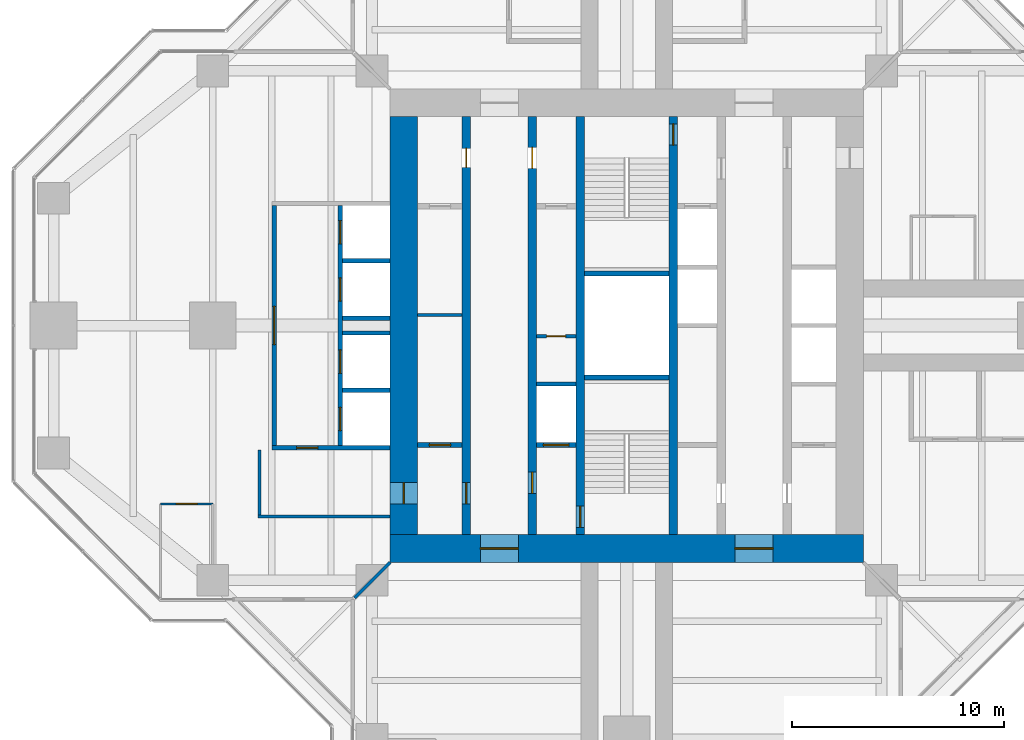
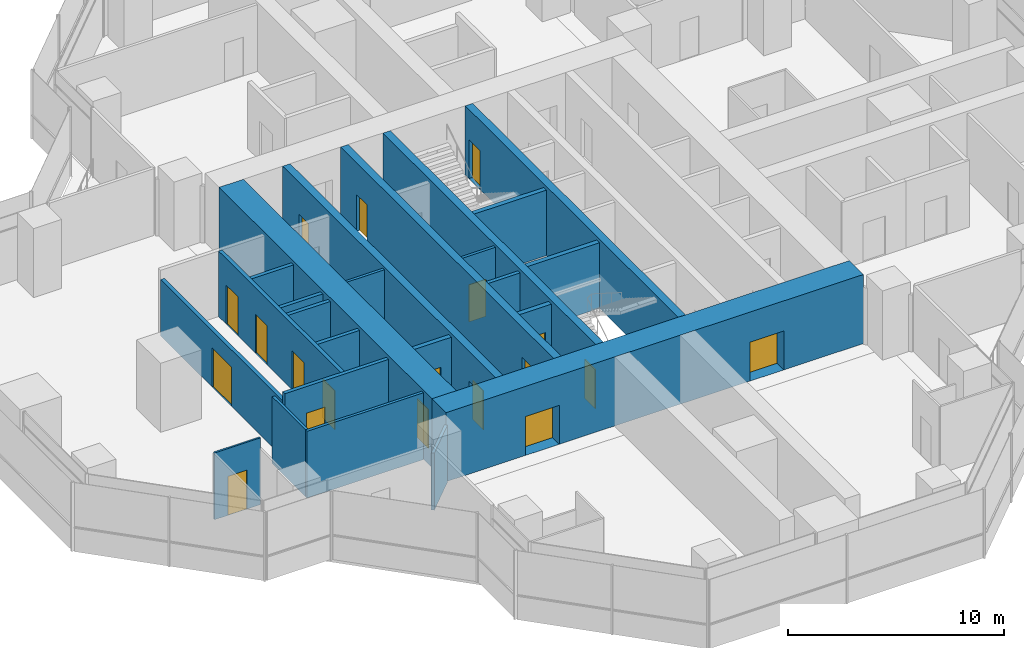
# One storey, part 13 of 17: 24 walls, 19 doors, 19 openings.
"""IFC4 building model written with IfcOpenShell, lengths in metres."""

from ifc_helpers import new_model, si_unit, direction, frame, frame_2d, origin, place, context, subcontext, project, spatial, rectangle, extrude, material, layer, layer_set, type_object, element, fill, save


model = new_model("IFC4")

# Units and contexts
model_context = context("Model", 3, precision=1e-05, world=origin(), true_north=direction((0.0, 1.0)))
body_context = subcontext(model_context, "Body", "Model", "MODEL_VIEW")
ifc_project = project(units=[si_unit("LENGTHUNIT", "METRE"), si_unit("AREAUNIT", "SQUARE_METRE"), si_unit("VOLUMEUNIT", "CUBIC_METRE"), si_unit("PLANEANGLEUNIT", "RADIAN"), si_unit("MASSUNIT", "GRAM", prefix="KILO")], contexts=[model_context])

# Site, building, storey
site_placement = place(None, origin())
site = spatial("IfcSite", under=ifc_project, at=site_placement, CompositionType="ELEMENT")
building_placement = place(site_placement, origin())
building = spatial("IfcBuilding", under=site, at=building_placement, Name="Mizan Broadcast Tower", CompositionType="ELEMENT")
storey_placement = place(building_placement, frame((0.0, 0.0, 228.300048828125)))
storey = spatial("IfcBuildingStorey", under=building, at=storey_placement, Name="L53", CompositionType="ELEMENT", Elevation=228.300048828125)

# Wall, openings, doors
ifc_material_1 = material(Name="Concrete C70/85", Category="concrete")
ifc_layer_1 = layer(ifc_material_1, 0.39990234375)
ifc_layer_set_1 = layer_set([ifc_layer_1], Name="Concrete C70/85")
wall_type_1 = type_object("IfcWallType", Name="CORE INTERNAL WALL 400", PredefinedType="SHEAR", material=ifc_layer_set_1)
wall_1_placement = place(storey_placement, frame((-7.550048828125, -9.85009765625, 0.0), z_axis=(0.0, 0.0, 1.0), x_axis=(0.0, 1.0, 0.0)))
wall_1 = element("IfcWall", 1, at=wall_1_placement, inside=storey, type_object=wall_type_1, Name="Core wall CORE/XW1", PredefinedType="SHEAR", context=body_context, shape_type="SweptSolid", body=[
    extrude(rectangle(XDim=19.7001953125, YDim=0.39990234375, at=frame_2d((9.85009765625, 0.0))), origin(), (0.0, 0.0, 1.0), 3.89990234375),
])
opening_1_placement = place(wall_1_placement, frame((1.449951171875, 0.0, 0.0)))
opening_1 = element("IfcOpeningElement", 2, at=opening_1_placement, cuts=wall_1, Name="Opening D10F", PredefinedType="OPENING", context=body_context, shape_type="SweptSolid", body=[
    extrude(rectangle(XDim=1.0, YDim=2.199951171875, at=frame_2d((0.5, 1.10009765625))), frame((0.0, 0.2099609375, 0.0), z_axis=(0.0, -1.0, 0.0), x_axis=(1.0, 0.0, 0.0)), (0.0, 0.0, 1.0), 0.419921875),
])
opening_2_placement = place(wall_1_placement, frame((17.300048828125, 0.0, 0.0)))
opening_2 = element("IfcOpeningElement", 3, at=opening_2_placement, cuts=wall_1, Name="Opening D09", PredefinedType="OPENING", context=body_context, shape_type="SweptSolid", body=[
    extrude(rectangle(XDim=0.89990234375, YDim=2.10009765625, at=frame_2d((0.449951171875, 1.050048828125))), frame((0.0, 0.2099609375, 0.0), z_axis=(0.0, -1.0, 0.0), x_axis=(1.0, 0.0, 0.0)), (0.0, 0.0, 1.0), 0.419921875),
])
ifc_material_2 = material(Name="Steel door leaf in steel frame", Category="steel")
door_type_1 = type_object("IfcDoorType", Name="FIRE DOOR 1000 FD90", OperationType="SINGLE_SWING_LEFT", PredefinedType="DOOR", material=ifc_material_2)
door_1_placement = place(opening_1_placement, origin())
door_1 = element("IfcDoor", 4, at=door_1_placement, inside=storey, type_object=door_type_1, Name="West core passage door", OperationType="SINGLE_SWING_LEFT", OverallHeight=2.199951171875, OverallWidth=1.0, PredefinedType="DOOR", context=body_context, shape_type="SweptSolid", body=[
    extrude(rectangle(XDim=1.0, YDim=2.199951171875, at=frame_2d((0.5, 1.10009765625))), frame((0.0, 0.02490234375, 0.0), z_axis=(0.0, -1.0, 0.0), x_axis=(1.0, 0.0, 0.0)), (0.0, 0.0, 1.0), 0.050048828125),
])
fill(opening_1, door_1)
ifc_material_3 = material(Name="Timber door leaf in aluminium frame", Category="wood")
door_type_2 = type_object("IfcDoorType", Name="TOILET DOOR 900", OperationType="SINGLE_SWING_LEFT", PredefinedType="DOOR", material=ifc_material_3)
door_2_placement = place(opening_2_placement, origin())
door_2 = element("IfcDoor", 5, at=door_2_placement, inside=storey, type_object=door_type_2, Name="Male WC door", OperationType="SINGLE_SWING_RIGHT", OverallHeight=2.10009765625, OverallWidth=0.89990234375, PredefinedType="DOOR", context=body_context, shape_type="SweptSolid", body=[
    extrude(rectangle(XDim=0.89990234375, YDim=2.10009765625, at=frame_2d((0.449951171875, 1.050048828125))), frame((0.0, 0.02490234375, 0.0), z_axis=(0.0, -1.0, 0.0), x_axis=(1.0, 0.0, 0.0)), (0.0, 0.0, 1.0), 0.050048828125),
])
fill(opening_2, door_2)

wall_2_placement = place(storey_placement, frame((-4.449951171875, -9.85009765625, 0.0), z_axis=(0.0, 0.0, 1.0), x_axis=(0.0, 1.0, 0.0)))
wall_2 = element("IfcWall", 6, at=wall_2_placement, inside=storey, type_object=wall_type_1, Name="Core wall CORE/XWH", PredefinedType="SHEAR", context=body_context, shape_type="SweptSolid", body=[
    extrude(rectangle(XDim=19.7001953125, YDim=0.39990234375, at=frame_2d((9.85009765625, 0.0))), origin(), (0.0, 0.0, 1.0), 3.89990234375),
])
opening_3_placement = place(wall_2_placement, frame((1.949951171875, 0.0, 0.0)))
opening_3 = element("IfcOpeningElement", 7, at=opening_3_placement, cuts=wall_2, Name="Opening D10F", PredefinedType="OPENING", context=body_context, shape_type="SweptSolid", body=[
    extrude(rectangle(XDim=1.0, YDim=2.199951171875, at=frame_2d((0.5, 1.10009765625))), frame((0.0, 0.2099609375, 0.0), z_axis=(0.0, -1.0, 0.0), x_axis=(1.0, 0.0, 0.0)), (0.0, 0.0, 1.0), 0.419921875),
])
opening_4_placement = place(wall_2_placement, frame((17.25, 0.0, 0.0)))
opening_4 = element("IfcOpeningElement", 8, at=opening_4_placement, cuts=wall_2, Name="Opening D10A", PredefinedType="OPENING", context=body_context, shape_type="SweptSolid", body=[
    extrude(rectangle(XDim=1.0, YDim=2.10009765625, at=frame_2d((0.5, 1.050048828125))), frame((0.0, 0.2099609375, 0.0), z_axis=(0.0, -1.0, 0.0), x_axis=(1.0, 0.0, 0.0)), (0.0, 0.0, 1.0), 0.419921875),
])
ifc_material_4 = material(Name="Timber door leaf in aluminium frame", Category="wood")
door_type_3 = type_object("IfcDoorType", Name="ACCESSIBLE WC DOOR 1000", OperationType="SLIDING_TO_LEFT", PredefinedType="DOOR", material=ifc_material_4)
door_3_placement = place(opening_4_placement, origin())
door_3 = element("IfcDoor", 9, at=door_3_placement, inside=storey, type_object=door_type_3, Name="Accessible WC door", OperationType="SLIDING_TO_LEFT", OverallHeight=2.10009765625, OverallWidth=1.0, PredefinedType="DOOR", context=body_context, shape_type="SweptSolid", body=[
    extrude(rectangle(XDim=1.0, YDim=2.10009765625, at=frame_2d((0.5, 1.050048828125))), frame((0.0, 0.02490234375, 0.0), z_axis=(0.0, -1.0, 0.0), x_axis=(1.0, 0.0, 0.0)), (0.0, 0.0, 1.0), 0.050048828125),
])
fill(opening_4, door_3)
door_4_placement = place(opening_3_placement, origin())
door_4 = element("IfcDoor", 10, at=door_4_placement, inside=storey, type_object=door_type_1, Name="Firefighting lobby A door", OperationType="SINGLE_SWING_LEFT", OverallHeight=2.199951171875, OverallWidth=1.0, PredefinedType="DOOR", context=body_context, shape_type="SweptSolid", body=[
    extrude(rectangle(XDim=1.0, YDim=2.199951171875, at=frame_2d((0.5, 1.10009765625))), frame((0.0, 0.02490234375, 0.0), z_axis=(0.0, -1.0, 0.0), x_axis=(1.0, 0.0, 0.0)), (0.0, 0.0, 1.0), 0.050048828125),
])
fill(opening_3, door_4)

# Wall, opening, door
wall_3_placement = place(storey_placement, frame((-2.199951171875, -9.85009765625, 0.0), z_axis=(0.0, 0.0, 1.0), x_axis=(0.0, 1.0, 0.0)))
wall_3 = element("IfcWall", 11, at=wall_3_placement, inside=storey, type_object=wall_type_1, Name="Core wall CORE/XW2", PredefinedType="SHEAR", context=body_context, shape_type="SweptSolid", body=[
    extrude(rectangle(XDim=19.7001953125, YDim=0.39990234375, at=frame_2d((9.85009765625, 0.0))), origin(), (0.0, 0.0, 1.0), 3.89990234375),
])
opening_5_placement = place(wall_3_placement, frame((0.35009765625, 0.0, 0.0)))
opening_5 = element("IfcOpeningElement", 12, at=opening_5_placement, cuts=wall_3, Name="Opening D10S", PredefinedType="OPENING", context=body_context, shape_type="SweptSolid", body=[
    extrude(rectangle(XDim=1.0, YDim=2.199951171875, at=frame_2d((0.5, 1.10009765625))), frame((0.0, 0.2099609375, 0.0), z_axis=(0.0, -1.0, 0.0), x_axis=(1.0, 0.0, 0.0)), (0.0, 0.0, 1.0), 0.419921875),
])
ifc_material_5 = material(Name="Steel door leaf in steel frame", Category="steel")
door_type_4 = type_object("IfcDoorType", Name="STAIR DOOR 1000 FD90S", OperationType="SINGLE_SWING_RIGHT", PredefinedType="DOOR", material=ifc_material_5)
door_5_placement = place(opening_5_placement, origin())
door_5 = element("IfcDoor", 13, at=door_5_placement, inside=storey, type_object=door_type_4, Name="Stair A door", OperationType="SINGLE_SWING_RIGHT", OverallHeight=2.199951171875, OverallWidth=1.0, PredefinedType="DOOR", context=body_context, shape_type="SweptSolid", body=[
    extrude(rectangle(XDim=1.0, YDim=2.199951171875, at=frame_2d((0.5, 1.10009765625))), frame((0.0, 0.02490234375, 0.0), z_axis=(0.0, -1.0, 0.0), x_axis=(1.0, 0.0, 0.0)), (0.0, 0.0, 1.0), 0.050048828125),
])
fill(opening_5, door_5)

wall_4_placement = place(storey_placement, frame((2.199951171875, 9.85009765625, 0.0), z_axis=(0.0, 0.0, 1.0), x_axis=(0.0, -1.0, 0.0)))
wall_4 = element("IfcWall", 14, at=wall_4_placement, inside=storey, type_object=wall_type_1, Name="Core wall CORE/XW2E", PredefinedType="SHEAR", context=body_context, shape_type="SweptSolid", body=[
    extrude(rectangle(XDim=19.7001953125, YDim=0.39990234375, at=frame_2d((9.85009765625, 0.0))), origin(), (0.0, 0.0, 1.0), 3.89990234375),
])
opening_6_placement = place(wall_4_placement, frame((0.35009765625, 0.0, 0.0)))
opening_6 = element("IfcOpeningElement", 15, at=opening_6_placement, cuts=wall_4, Name="Opening D10S", PredefinedType="OPENING", context=body_context, shape_type="SweptSolid", body=[
    extrude(rectangle(XDim=1.0, YDim=2.199951171875, at=frame_2d((0.5, 1.10009765625))), frame((0.0, 0.2099609375, 0.0), z_axis=(0.0, -1.0, 0.0), x_axis=(1.0, 0.0, 0.0)), (0.0, 0.0, 1.0), 0.419921875),
])
door_6_placement = place(opening_6_placement, origin())
door_6 = element("IfcDoor", 16, at=door_6_placement, inside=storey, type_object=door_type_4, Name="Stair B door", OperationType="SINGLE_SWING_RIGHT", OverallHeight=2.199951171875, OverallWidth=1.0, PredefinedType="DOOR", context=body_context, shape_type="SweptSolid", body=[
    extrude(rectangle(XDim=1.0, YDim=2.199951171875, at=frame_2d((0.5, 1.10009765625))), frame((0.0, 0.02490234375, 0.0), z_axis=(0.0, -1.0, 0.0), x_axis=(1.0, 0.0, 0.0)), (0.0, 0.0, 1.0), 0.050048828125),
])
fill(opening_6, door_6)

# Wall
ifc_material_6 = material(Name="Concrete blockwork", Category="masonry")
ifc_layer_2 = layer(ifc_material_6, 0.14990234375)
ifc_layer_set_2 = layer_set([ifc_layer_2], Name="Concrete blockwork")
wall_type_2 = type_object("IfcWallType", Name="CORE PARTITION 150", PredefinedType="SOLIDWALL", material=ifc_layer_set_2)
wall_5_placement = place(storey_placement, frame((-9.85009765625, 0.5, 0.0), z_axis=(0.0, 0.0, 1.0), x_axis=(1.0, 0.0, 0.0)))
element("IfcWall", 17, at=wall_5_placement, inside=storey, type_object=wall_type_2, Name="Core partition CORE/XP1", PredefinedType="SOLIDWALL", context=body_context, shape_type="SweptSolid", body=[
    extrude(rectangle(XDim=2.10009765625, YDim=0.14990234375, at=frame_2d((1.050048828125, 0.0))), origin(), (0.0, 0.0, 1.0), 3.77001953125),
])

# Wall, opening, door
wall_6_placement = place(storey_placement, frame((-4.25, -0.5, 0.0), z_axis=(0.0, 0.0, 1.0), x_axis=(1.0, 0.0, 0.0)))
wall_6 = element("IfcWall", 18, at=wall_6_placement, inside=storey, type_object=wall_type_2, Name="Core partition CORE/XP2", PredefinedType="SOLIDWALL", context=body_context, shape_type="SweptSolid", body=[
    extrude(rectangle(XDim=1.85009765625, YDim=0.14990234375, at=frame_2d((0.925048828125, 0.0))), origin(), (0.0, 0.0, 1.0), 3.77001953125),
])
opening_7_placement = place(wall_6_placement, frame((0.47509765625, 0.0, 0.0)))
opening_7 = element("IfcOpeningElement", 19, at=opening_7_placement, cuts=wall_6, Name="Opening D09F", PredefinedType="OPENING", context=body_context, shape_type="SweptSolid", body=[
    extrude(rectangle(XDim=0.89990234375, YDim=2.10009765625, at=frame_2d((0.449951171875, 1.050048828125))), frame((0.0, 0.0849609375, 0.0), z_axis=(0.0, -1.0, 0.0), x_axis=(1.0, 0.0, 0.0)), (0.0, 0.0, 1.0), 0.169921875),
])
ifc_material_7 = material(Name="Steel door leaf in steel frame", Category="steel")
door_type_5 = type_object("IfcDoorType", Name="CORE ROOM DOOR 900 FD90", OperationType="SINGLE_SWING_LEFT", PredefinedType="DOOR", material=ifc_material_7)
door_7_placement = place(opening_7_placement, origin())
door_7 = element("IfcDoor", 20, at=door_7_placement, inside=storey, type_object=door_type_5, Name="Staff shower room door", OperationType="SINGLE_SWING_RIGHT", OverallHeight=2.10009765625, OverallWidth=0.89990234375, PredefinedType="DOOR", context=body_context, shape_type="SweptSolid", body=[
    extrude(rectangle(XDim=0.89990234375, YDim=2.10009765625, at=frame_2d((0.449951171875, 1.050048828125))), frame((0.0, 0.02490234375, 0.0), z_axis=(0.0, -1.0, 0.0), x_axis=(1.0, 0.0, 0.0)), (0.0, 0.0, 1.0), 0.050048828125),
])
fill(opening_7, door_7)

# Wall, openings, doors
ifc_material_8 = material(Name="Concrete C70/85", Category="concrete")
ifc_layer_3 = layer(ifc_material_8, 1.300048828125)
ifc_layer_set_3 = layer_set([ifc_layer_3], Name="Concrete C70/85")
wall_type_3 = type_object("IfcWallType", Name="CORE WALL 1300", PredefinedType="SHEAR", material=ifc_layer_set_3)
wall_7_placement = place(storey_placement, frame((11.14990234375, -10.5, 0.0), z_axis=(0.0, 0.0, 1.0), x_axis=(-1.0, 0.0, 0.0)))
wall_7 = element("IfcWall", 21, at=wall_7_placement, inside=storey, type_object=wall_type_3, Name="Core wall S L53", PredefinedType="SHEAR", context=body_context, shape_type="SweptSolid", body=[
    extrude(rectangle(XDim=22.2998046875, YDim=1.300048828125, at=frame_2d((11.14990234375, 0.0))), origin(), (0.0, 0.0, 1.0), 3.89990234375),
])
opening_8_placement = place(wall_7_placement, frame((16.25, 0.0, 0.0)))
opening_8 = element("IfcOpeningElement", 22, at=opening_8_placement, cuts=wall_7, Name="Opening D18F", PredefinedType="OPENING", context=body_context, shape_type="SweptSolid", body=[
    extrude(rectangle(XDim=1.800048828125, YDim=2.199951171875, at=frame_2d((0.89990234375, 1.10009765625))), frame((0.0, 0.659912109375, 0.0), z_axis=(0.0, -1.0, 0.0), x_axis=(1.0, 0.0, 0.0)), (0.0, 0.0, 1.0), 1.320068359375),
])
opening_9_placement = place(wall_7_placement, frame((4.25, 0.0, 0.0)))
opening_9 = element("IfcOpeningElement", 23, at=opening_9_placement, cuts=wall_7, Name="Opening D18F", PredefinedType="OPENING", context=body_context, shape_type="SweptSolid", body=[
    extrude(rectangle(XDim=1.800048828125, YDim=2.199951171875, at=frame_2d((0.89990234375, 1.10009765625))), frame((0.0, 0.659912109375, 0.0), z_axis=(0.0, -1.0, 0.0), x_axis=(1.0, 0.0, 0.0)), (0.0, 0.0, 1.0), 1.320068359375),
])
ifc_material_9 = material(Name="Steel door leaf in steel frame", Category="steel")
door_type_6 = type_object("IfcDoorType", Name="LOBBY DOUBLE DOOR 1800 FD90", OperationType="DOUBLE_DOOR_DOUBLE_SWING", PredefinedType="DOOR", material=ifc_material_9)
door_8_placement = place(opening_8_placement, origin())
door_8 = element("IfcDoor", 24, at=door_8_placement, inside=storey, type_object=door_type_6, Name="West lift lobby south door", OperationType="DOUBLE_DOOR_DOUBLE_SWING", OverallHeight=2.199951171875, OverallWidth=1.800048828125, PredefinedType="DOOR", context=body_context, shape_type="SweptSolid", body=[
    extrude(rectangle(XDim=1.800048828125, YDim=2.199951171875, at=frame_2d((0.89990234375, 1.10009765625))), frame((0.0, 0.02490234375, 0.0), z_axis=(0.0, -1.0, 0.0), x_axis=(1.0, 0.0, 0.0)), (0.0, 0.0, 1.0), 0.050048828125),
])
fill(opening_8, door_8)
door_9_placement = place(opening_9_placement, origin())
door_9 = element("IfcDoor", 25, at=door_9_placement, inside=storey, type_object=door_type_6, Name="East lift lobby south door", OperationType="DOUBLE_DOOR_DOUBLE_SWING", OverallHeight=2.199951171875, OverallWidth=1.800048828125, PredefinedType="DOOR", context=body_context, shape_type="SweptSolid", body=[
    extrude(rectangle(XDim=1.800048828125, YDim=2.199951171875, at=frame_2d((0.89990234375, 1.10009765625))), frame((0.0, 0.02490234375, 0.0), z_axis=(0.0, -1.0, 0.0), x_axis=(1.0, 0.0, 0.0)), (0.0, 0.0, 1.0), 0.050048828125),
])
fill(opening_9, door_9)

# Wall, opening, door
wall_8_placement = place(storey_placement, frame((-10.5, 9.85009765625, 0.0), z_axis=(0.0, 0.0, 1.0), x_axis=(0.0, -1.0, 0.0)))
wall_8 = element("IfcWall", 26, at=wall_8_placement, inside=storey, type_object=wall_type_3, Name="Core wall W L53", PredefinedType="SHEAR", context=body_context, shape_type="SweptSolid", body=[
    extrude(rectangle(XDim=19.7001953125, YDim=1.300048828125, at=frame_2d((9.85009765625, 0.0))), origin(), (0.0, 0.0, 1.0), 3.89990234375),
])
opening_10_placement = place(wall_8_placement, frame((17.25, 0.0, 0.0)))
opening_10 = element("IfcOpeningElement", 27, at=opening_10_placement, cuts=wall_8, Name="Opening D10F", PredefinedType="OPENING", context=body_context, shape_type="SweptSolid", body=[
    extrude(rectangle(XDim=1.0, YDim=2.199951171875, at=frame_2d((0.5, 1.10009765625))), frame((0.0, 0.659912109375, 0.0), z_axis=(0.0, -1.0, 0.0), x_axis=(1.0, 0.0, 0.0)), (0.0, 0.0, 1.0), 1.320068359375),
])
door_10_placement = place(opening_10_placement, origin())
door_10 = element("IfcDoor", 28, at=door_10_placement, inside=storey, type_object=door_type_1, Name="West core passage arm door", OperationType="SINGLE_SWING_RIGHT", OverallHeight=2.199951171875, OverallWidth=1.0, PredefinedType="DOOR", context=body_context, shape_type="SweptSolid", body=[
    extrude(rectangle(XDim=1.0, YDim=2.199951171875, at=frame_2d((0.5, 1.10009765625))), frame((0.0, 0.02490234375, 0.0), z_axis=(0.0, -1.0, 0.0), x_axis=(1.0, 0.0, 0.0)), (0.0, 0.0, 1.0), 0.050048828125),
])
fill(opening_10, door_10)

# Wall
ifc_material_10 = material(Name="Concrete blockwork", Category="masonry")
ifc_layer_4 = layer(ifc_material_10, 0.199951171875)
ifc_layer_set_4 = layer_set([ifc_layer_4], Name="Concrete blockwork")
wall_type_4 = type_object("IfcWallType", Name="LIFT SHAFT WALL 200", PredefinedType="SOLIDWALL", material=ifc_layer_set_4)
wall_9_placement = place(storey_placement, frame((-4.25, -2.75, 0.0), z_axis=(0.0, 0.0, 1.0), x_axis=(1.0, 0.0, 0.0)))
element("IfcWall", 29, at=wall_9_placement, inside=storey, type_object=wall_type_4, Name="Lift shaft wall CORE/SW2-1", PredefinedType="SOLIDWALL", context=body_context, shape_type="SweptSolid", body=[
    extrude(rectangle(XDim=1.85009765625, YDim=0.199951171875, at=frame_2d((0.925048828125, 0.0))), origin(), (0.0, 0.0, 1.0), 3.699951171875),
])

# Wall, openings, doors
wall_10_placement = place(storey_placement, frame((-13.5, 5.64990234375, 0.0), z_axis=(0.0, 0.0, 1.0), x_axis=(0.0, -1.0, 0.0)))
wall_10 = element("IfcWall", 30, at=wall_10_placement, inside=storey, type_object=wall_type_4, Name="Lift shaft wall LC/F", PredefinedType="SOLIDWALL", context=body_context, shape_type="SweptSolid", body=[
    extrude(rectangle(XDim=11.2998046875, YDim=0.199951171875, at=frame_2d((5.64990234375, 0.0))), origin(), (0.0, 0.0, 1.0), 3.699951171875),
])
opening_11_placement = place(wall_10_placement, frame((0.699951171875, 0.0, 0.0)))
opening_11 = element("IfcOpeningElement", 31, at=opening_11_placement, cuts=wall_10, Name="Opening LD", PredefinedType="OPENING", context=body_context, shape_type="SweptSolid", body=[
    extrude(rectangle(XDim=1.10009765625, YDim=2.199951171875, at=frame_2d((0.550048828125, 1.10009765625))), frame((0.0, 0.10986328125, 0.0), z_axis=(0.0, -1.0, 0.0), x_axis=(1.0, 0.0, 0.0)), (0.0, 0.0, 1.0), 0.219970703125),
])
opening_12_placement = place(wall_10_placement, frame((3.39990234375, 0.0, 0.0)))
opening_12 = element("IfcOpeningElement", 32, at=opening_12_placement, cuts=wall_10, Name="Opening LD", PredefinedType="OPENING", context=body_context, shape_type="SweptSolid", body=[
    extrude(rectangle(XDim=1.10009765625, YDim=2.199951171875, at=frame_2d((0.550048828125, 1.10009765625))), frame((0.0, 0.10986328125, 0.0), z_axis=(0.0, -1.0, 0.0), x_axis=(1.0, 0.0, 0.0)), (0.0, 0.0, 1.0), 0.219970703125),
])
opening_13_placement = place(wall_10_placement, frame((6.800048828125, 0.0, 0.0)))
opening_13 = element("IfcOpeningElement", 33, at=opening_13_placement, cuts=wall_10, Name="Opening LD", PredefinedType="OPENING", context=body_context, shape_type="SweptSolid", body=[
    extrude(rectangle(XDim=1.10009765625, YDim=2.199951171875, at=frame_2d((0.550048828125, 1.10009765625))), frame((0.0, 0.10986328125, 0.0), z_axis=(0.0, -1.0, 0.0), x_axis=(1.0, 0.0, 0.0)), (0.0, 0.0, 1.0), 0.219970703125),
])
opening_14_placement = place(wall_10_placement, frame((9.5, 0.0, 0.0)))
opening_14 = element("IfcOpeningElement", 34, at=opening_14_placement, cuts=wall_10, Name="Opening LD", PredefinedType="OPENING", context=body_context, shape_type="SweptSolid", body=[
    extrude(rectangle(XDim=1.10009765625, YDim=2.199951171875, at=frame_2d((0.550048828125, 1.10009765625))), frame((0.0, 0.10986328125, 0.0), z_axis=(0.0, -1.0, 0.0), x_axis=(1.0, 0.0, 0.0)), (0.0, 0.0, 1.0), 0.219970703125),
])
ifc_material_11 = material(Name="Steel door leaf in steel frame", Category="steel")
door_type_7 = type_object("IfcDoorType", Name="LIFT LANDING DOOR 1100", OperationType="SLIDING_TO_LEFT", PredefinedType="DOOR", material=ifc_material_11)
door_11_placement = place(opening_11_placement, origin())
door_11 = element("IfcDoor", 35, at=door_11_placement, inside=storey, type_object=door_type_7, Name="Landing door LC1", OperationType="SLIDING_TO_LEFT", OverallHeight=2.199951171875, OverallWidth=1.10009765625, PredefinedType="DOOR", context=body_context, shape_type="SweptSolid", body=[
    extrude(rectangle(XDim=1.10009765625, YDim=2.199951171875, at=frame_2d((0.550048828125, 1.10009765625))), frame((0.0, 0.02490234375, 0.0), z_axis=(0.0, -1.0, 0.0), x_axis=(1.0, 0.0, 0.0)), (0.0, 0.0, 1.0), 0.050048828125),
])
fill(opening_11, door_11)
door_12_placement = place(opening_12_placement, origin())
door_12 = element("IfcDoor", 36, at=door_12_placement, inside=storey, type_object=door_type_7, Name="Landing door LC2", OperationType="SLIDING_TO_LEFT", OverallHeight=2.199951171875, OverallWidth=1.10009765625, PredefinedType="DOOR", context=body_context, shape_type="SweptSolid", body=[
    extrude(rectangle(XDim=1.10009765625, YDim=2.199951171875, at=frame_2d((0.550048828125, 1.10009765625))), frame((0.0, 0.02490234375, 0.0), z_axis=(0.0, -1.0, 0.0), x_axis=(1.0, 0.0, 0.0)), (0.0, 0.0, 1.0), 0.050048828125),
])
fill(opening_12, door_12)
door_13_placement = place(opening_13_placement, origin())
door_13 = element("IfcDoor", 37, at=door_13_placement, inside=storey, type_object=door_type_7, Name="Landing door LC3", OperationType="SLIDING_TO_LEFT", OverallHeight=2.199951171875, OverallWidth=1.10009765625, PredefinedType="DOOR", context=body_context, shape_type="SweptSolid", body=[
    extrude(rectangle(XDim=1.10009765625, YDim=2.199951171875, at=frame_2d((0.550048828125, 1.10009765625))), frame((0.0, 0.02490234375, 0.0), z_axis=(0.0, -1.0, 0.0), x_axis=(1.0, 0.0, 0.0)), (0.0, 0.0, 1.0), 0.050048828125),
])
fill(opening_13, door_13)
door_14_placement = place(opening_14_placement, origin())
door_14 = element("IfcDoor", 38, at=door_14_placement, inside=storey, type_object=door_type_7, Name="Landing door LC4", OperationType="SLIDING_TO_LEFT", OverallHeight=2.199951171875, OverallWidth=1.10009765625, PredefinedType="DOOR", context=body_context, shape_type="SweptSolid", body=[
    extrude(rectangle(XDim=1.10009765625, YDim=2.199951171875, at=frame_2d((0.550048828125, 1.10009765625))), frame((0.0, 0.02490234375, 0.0), z_axis=(0.0, -1.0, 0.0), x_axis=(1.0, 0.0, 0.0)), (0.0, 0.0, 1.0), 0.050048828125),
])
fill(opening_14, door_14)

# Wall, opening, door
wall_11_placement = place(storey_placement, frame((-11.14990234375, -5.75, 0.0), z_axis=(0.0, 0.0, 1.0), x_axis=(-1.0, 0.0, 0.0)))
wall_11 = element("IfcWall", 39, at=wall_11_placement, inside=storey, type_object=wall_type_4, Name="Lift shaft wall LC/S2", PredefinedType="SOLIDWALL", context=body_context, shape_type="SweptSolid", body=[
    extrude(rectangle(XDim=5.550048828125, YDim=0.199951171875, at=frame_2d((2.77490234375, 0.0))), origin(), (0.0, 0.0, 1.0), 3.699951171875),
])
opening_15_placement = place(wall_11_placement, frame((3.39990234375, 0.0, 0.0)))
opening_15 = element("IfcOpeningElement", 40, at=opening_15_placement, cuts=wall_11, Name="Opening D10F", PredefinedType="OPENING", context=body_context, shape_type="SweptSolid", body=[
    extrude(rectangle(XDim=1.0, YDim=2.199951171875, at=frame_2d((0.5, 1.10009765625))), frame((0.0, 0.10986328125, 0.0), z_axis=(0.0, -1.0, 0.0), x_axis=(1.0, 0.0, 0.0)), (0.0, 0.0, 1.0), 0.219970703125),
])
door_15_placement = place(opening_15_placement, origin())
door_15 = element("IfcDoor", 41, at=door_15_placement, inside=storey, type_object=door_type_1, Name="High-rise lobby corridor door", OperationType="SINGLE_SWING_RIGHT", OverallHeight=2.199951171875, OverallWidth=1.0, PredefinedType="DOOR", context=body_context, shape_type="SweptSolid", body=[
    extrude(rectangle(XDim=1.0, YDim=2.199951171875, at=frame_2d((0.5, 1.10009765625))), frame((0.0, 0.02490234375, 0.0), z_axis=(0.0, -1.0, 0.0), x_axis=(1.0, 0.0, 0.0)), (0.0, 0.0, 1.0), 0.050048828125),
])
fill(opening_15, door_15)

# Walls
for number, where, z_axis, x_axis, name in (
    (42, (-11.14990234375, 3.050048828125, 0.0), (0.0, 0.0, 1.0), (-1.0, 0.0, 0.0), "Lift shaft wall LC/SP1"),
    (43, (-11.14990234375, 0.35009765625, 0.0), (0.0, 0.0, 1.0), (-1.0, 0.0, 0.0), "Lift shaft wall LC/SP2"),
    (44, (-11.14990234375, -0.35009765625, 0.0), (0.0, 0.0, 1.0), (-1.0, 0.0, 0.0), "Lift shaft wall LC/SP3"),
    (45, (-11.14990234375, -3.050048828125, 0.0), (0.0, 0.0, 1.0), (-1.0, 0.0, 0.0), "Lift shaft wall LC/SP4"),
):
    element("IfcWall", number, at=place(storey_placement, frame(where, z_axis=z_axis, x_axis=x_axis)), inside=storey, type_object=wall_type_4, Name=name, PredefinedType="SOLIDWALL", context=body_context, shape_type="SweptSolid", body=[
        extrude(rectangle(XDim=2.25, YDim=0.199951171875, at=frame_2d((1.125, 0.0))), origin(), (0.0, 0.0, 1.0), 3.699951171875),
    ])

# Wall, opening, door
ifc_material_12 = material(Name="Concrete blockwork", Category="masonry")
ifc_layer_5 = layer(ifc_material_12, 0.25)
ifc_layer_set_5 = layer_set([ifc_layer_5], Name="Concrete blockwork")
wall_type_5 = type_object("IfcWallType", Name="LOBBY ENCLOSURE WALL 250", PredefinedType="SOLIDWALL", material=ifc_layer_set_5)
wall_12_placement = place(storey_placement, frame((-9.85009765625, -5.625, 0.0), z_axis=(0.0, 0.0, 1.0), x_axis=(1.0, 0.0, 0.0)))
wall_12 = element("IfcWall", 46, at=wall_12_placement, inside=storey, type_object=wall_type_5, Name="Lobby enclosure wall CORE/BW1S", PredefinedType="SOLIDWALL", context=body_context, shape_type="SweptSolid", body=[
    extrude(rectangle(XDim=2.10009765625, YDim=0.25, at=frame_2d((1.050048828125, 0.0))), origin(), (0.0, 0.0, 1.0), 3.699951171875),
])
opening_16_placement = place(wall_12_placement, frame((0.550048828125, 0.0, 0.0)))
opening_16 = element("IfcOpeningElement", 47, at=opening_16_placement, cuts=wall_12, Name="Opening D10F", PredefinedType="OPENING", context=body_context, shape_type="SweptSolid", body=[
    extrude(rectangle(XDim=1.0, YDim=2.199951171875, at=frame_2d((0.5, 1.10009765625))), frame((0.0, 0.135009765625, 0.0), z_axis=(0.0, -1.0, 0.0), x_axis=(1.0, 0.0, 0.0)), (0.0, 0.0, 1.0), 0.27001953125),
])
door_16_placement = place(opening_16_placement, origin())
door_16 = element("IfcDoor", 48, at=door_16_placement, inside=storey, type_object=door_type_1, Name="Vending room door", OperationType="SINGLE_SWING_RIGHT", OverallHeight=2.199951171875, OverallWidth=1.0, PredefinedType="DOOR", context=body_context, shape_type="SweptSolid", body=[
    extrude(rectangle(XDim=1.0, YDim=2.199951171875, at=frame_2d((0.5, 1.10009765625))), frame((0.0, 0.02490234375, 0.0), z_axis=(0.0, -1.0, 0.0), x_axis=(1.0, 0.0, 0.0)), (0.0, 0.0, 1.0), 0.050048828125),
])
fill(opening_16, door_16)

wall_13_placement = place(storey_placement, frame((-4.25, -5.625, 0.0), z_axis=(0.0, 0.0, 1.0), x_axis=(1.0, 0.0, 0.0)))
wall_13 = element("IfcWall", 49, at=wall_13_placement, inside=storey, type_object=wall_type_5, Name="Lobby enclosure wall CORE/BW2S", PredefinedType="SOLIDWALL", context=body_context, shape_type="SweptSolid", body=[
    extrude(rectangle(XDim=1.85009765625, YDim=0.25, at=frame_2d((0.925048828125, 0.0))), origin(), (0.0, 0.0, 1.0), 3.699951171875),
])
opening_17_placement = place(wall_13_placement, frame((0.324951171875, 0.0, 0.0)))
opening_17 = element("IfcOpeningElement", 50, at=opening_17_placement, cuts=wall_13, Name="Opening LDF", PredefinedType="OPENING", context=body_context, shape_type="SweptSolid", body=[
    extrude(rectangle(XDim=1.199951171875, YDim=2.199951171875, at=frame_2d((0.60009765625, 1.10009765625))), frame((0.0, 0.135009765625, 0.0), z_axis=(0.0, -1.0, 0.0), x_axis=(1.0, 0.0, 0.0)), (0.0, 0.0, 1.0), 0.27001953125),
])
ifc_material_13 = material(Name="Steel door leaf in steel frame", Category="steel")
door_type_8 = type_object("IfcDoorType", Name="FIREFIGHTING LIFT LANDING DOOR 1200", OperationType="SLIDING_TO_LEFT", PredefinedType="DOOR", material=ifc_material_13)
door_17_placement = place(opening_17_placement, origin())
door_17 = element("IfcDoor", 51, at=door_17_placement, inside=storey, type_object=door_type_8, Name="Landing door FF1", OperationType="SLIDING_TO_LEFT", OverallHeight=2.199951171875, OverallWidth=1.199951171875, PredefinedType="DOOR", context=body_context, shape_type="SweptSolid", body=[
    extrude(rectangle(XDim=1.199951171875, YDim=2.199951171875, at=frame_2d((0.60009765625, 1.10009765625))), frame((0.0, 0.02490234375, 0.0), z_axis=(0.0, -1.0, 0.0), x_axis=(1.0, 0.0, 0.0)), (0.0, 0.0, 1.0), 0.050048828125),
])
fill(opening_17, door_17)

# Walls
for number, where, z_axis, x_axis, name in (
    (52, (-2.0, -2.449951171875, 0.0), (0.0, 0.0, 1.0), (1.0, 0.0, 0.0), "Lobby enclosure wall CORE/STA"),
    (53, (-2.0, 2.449951171875, 0.0), (0.0, 0.0, 1.0), (1.0, 0.0, 0.0), "Lobby enclosure wall CORE/STB"),
):
    element("IfcWall", number, at=place(storey_placement, frame(where, z_axis=z_axis, x_axis=x_axis)), inside=storey, type_object=wall_type_5, Name=name, PredefinedType="SOLIDWALL", context=body_context, shape_type="SweptSolid", body=[
        extrude(rectangle(XDim=4.0, YDim=0.25, at=frame_2d((2.0, 0.0))), origin(), (0.0, 0.0, 1.0), 3.699951171875),
    ])

# Wall, opening, door
wall_14_placement = place(storey_placement, frame((-16.60009765625, 5.64990234375, 0.0), z_axis=(0.0, 0.0, 1.0), x_axis=(0.0, -1.0, 0.0)))
wall_14 = element("IfcWall", 54, at=wall_14_placement, inside=storey, type_object=wall_type_5, Name="Lobby enclosure wall LC/LF", PredefinedType="SOLIDWALL", context=body_context, shape_type="SweptSolid", body=[
    extrude(rectangle(XDim=11.2998046875, YDim=0.199951171875, at=frame_2d((5.64990234375, 0.0))), origin(), (0.0, 0.0, 1.0), 3.179931640625),
])
opening_18_placement = place(wall_14_placement, frame((4.75, 0.0, 0.0)))
opening_18 = element("IfcOpeningElement", 55, at=opening_18_placement, cuts=wall_14, Name="Opening D18F", PredefinedType="OPENING", context=body_context, shape_type="SweptSolid", body=[
    extrude(rectangle(XDim=1.800048828125, YDim=2.199951171875, at=frame_2d((0.89990234375, 1.10009765625))), frame((0.0, 0.10986328125, 0.0), z_axis=(0.0, -1.0, 0.0), x_axis=(1.0, 0.0, 0.0)), (0.0, 0.0, 1.0), 0.219970703125),
])
door_18_placement = place(opening_18_placement, origin())
door_18 = element("IfcDoor", 56, at=door_18_placement, inside=storey, type_object=door_type_6, Name="High-rise lift lobby door", OperationType="DOUBLE_DOOR_DOUBLE_SWING", OverallHeight=2.199951171875, OverallWidth=1.800048828125, PredefinedType="DOOR", context=body_context, shape_type="SweptSolid", body=[
    extrude(rectangle(XDim=1.800048828125, YDim=2.199951171875, at=frame_2d((0.89990234375, 1.10009765625))), frame((0.0, 0.02490234375, 0.0), z_axis=(0.0, -1.0, 0.0), x_axis=(1.0, 0.0, 0.0)), (0.0, 0.0, 1.0), 0.050048828125),
])
fill(opening_18, door_18)

# Walls
ifc_material_14 = material(Name="Gypsum board on steel studs", Category="steel")
ifc_layer_6 = layer(ifc_material_14, 0.14990234375)
ifc_layer_set_6 = layer_set([ifc_layer_6], Name="Gypsum board on steel studs")
wall_type_6 = type_object("IfcWallType", Name="PARTITION 150", PredefinedType="PARTITIONING", material=ifc_layer_set_6)
wall_15_placement = place(storey_placement, frame((-11.14990234375, -11.14990234375, 0.0), z_axis=(0.0, 0.0, 1.0), x_axis=(-0.707106781187, -0.707106781187, 0.0)))
element("IfcWall", 57, at=wall_15_placement, inside=storey, type_object=wall_type_6, Name="Partition PT/DGWS", PredefinedType="PARTITIONING", context=body_context, shape_type="SweptSolid", body=[
    extrude(rectangle(XDim=2.362060546875, YDim=0.14990234375, at=frame_2d((1.18115234375, 0.0))), origin(), (0.0, 0.0, 1.0), 3.219970703125),
])
wall_16_placement = place(storey_placement, frame((-11.14990234375, -9.0, 0.0), z_axis=(0.0, 0.0, 1.0), x_axis=(-1.0, 0.0, 0.0)))
element("IfcWall", 58, at=wall_16_placement, inside=storey, type_object=wall_type_6, Name="Partition PT/LCC1", PredefinedType="PARTITIONING", context=body_context, shape_type="SweptSolid", body=[
    extrude(rectangle(XDim=6.22509765625, YDim=0.14990234375, at=frame_2d((3.112548828125, 0.0))), origin(), (0.0, 0.0, 1.0), 3.77001953125),
])
wall_17_placement = place(storey_placement, frame((-17.300048828125, -5.85009765625, 0.0), z_axis=(0.0, 0.0, 1.0), x_axis=(0.0, -1.0, 0.0)))
element("IfcWall", 59, at=wall_17_placement, inside=storey, type_object=wall_type_6, Name="Partition PT/LCC2", PredefinedType="PARTITIONING", context=body_context, shape_type="SweptSolid", body=[
    extrude(rectangle(XDim=3.074951171875, YDim=0.14990234375, at=frame_2d((1.53759765625, 0.0))), origin(), (0.0, 0.0, 1.0), 3.77001953125),
])

# Wall, opening, door
ifc_material_15 = material(Name="Glazed aluminium partition on aluminium track", Category="aluminium")
ifc_layer_7 = layer(ifc_material_15, 0.10009765625)
ifc_layer_set_7 = layer_set([ifc_layer_7], Name="Glazed aluminium partition on aluminium track")
wall_type_7 = type_object("IfcWallType", Name="PARTITION GLAZED OFFICE FRONT 100", PredefinedType="PARTITIONING", material=ifc_layer_set_7)
wall_18_placement = place(storey_placement, frame((-19.5, -8.39990234375, 0.0), z_axis=(0.0, 0.0, 1.0), x_axis=(-1.0, 0.0, 0.0)))
wall_18 = element("IfcWall", 60, at=wall_18_placement, inside=storey, type_object=wall_type_7, Name="Glazed office front PT/WCP0", PredefinedType="PARTITIONING", context=body_context, shape_type="SweptSolid", body=[
    extrude(rectangle(XDim=2.458984375, YDim=0.10009765625, at=frame_2d((1.2294921875, 0.0))), origin(), (0.0, 0.0, 1.0), 3.77001953125),
])
opening_19_placement = place(wall_18_placement, frame((0.7294921875, 0.0, 0.0)))
opening_19 = element("IfcOpeningElement", 61, at=opening_19_placement, cuts=wall_18, Name="Opening D10O", PredefinedType="OPENING", context=body_context, shape_type="SweptSolid", body=[
    extrude(rectangle(XDim=1.0, YDim=2.199951171875, at=frame_2d((0.5, 1.10009765625))), frame((0.0, 0.06005859375, 0.0), z_axis=(0.0, -1.0, 0.0), x_axis=(1.0, 0.0, 0.0)), (0.0, 0.0, 1.0), 0.1201171875),
])
ifc_material_16 = material(Name="Timber door leaf in aluminium frame", Category="wood")
door_type_9 = type_object("IfcDoorType", Name="OFFICE DOOR 1000 GLAZED", OperationType="SINGLE_SWING_LEFT", PredefinedType="DOOR", material=ifc_material_16)
door_19_placement = place(opening_19_placement, origin())
door_19 = element("IfcDoor", 62, at=door_19_placement, inside=storey, type_object=door_type_9, Name="Producer's office door", OperationType="SINGLE_SWING_LEFT", OverallHeight=2.199951171875, OverallWidth=1.0, PredefinedType="DOOR", context=body_context, shape_type="SweptSolid", body=[
    extrude(rectangle(XDim=1.0, YDim=2.199951171875, at=frame_2d((0.5, 1.10009765625))), frame((0.0, 0.02490234375, 0.0), z_axis=(0.0, -1.0, 0.0), x_axis=(1.0, 0.0, 0.0)), (0.0, 0.0, 1.0), 0.050048828125),
])
fill(opening_19, door_19)

save(model, "model.ifc")
